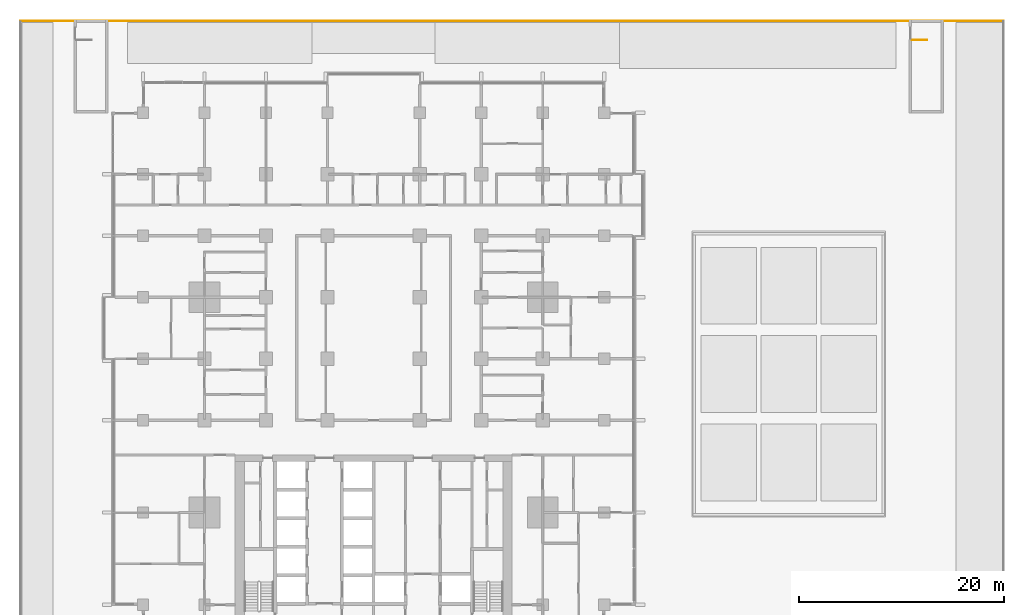
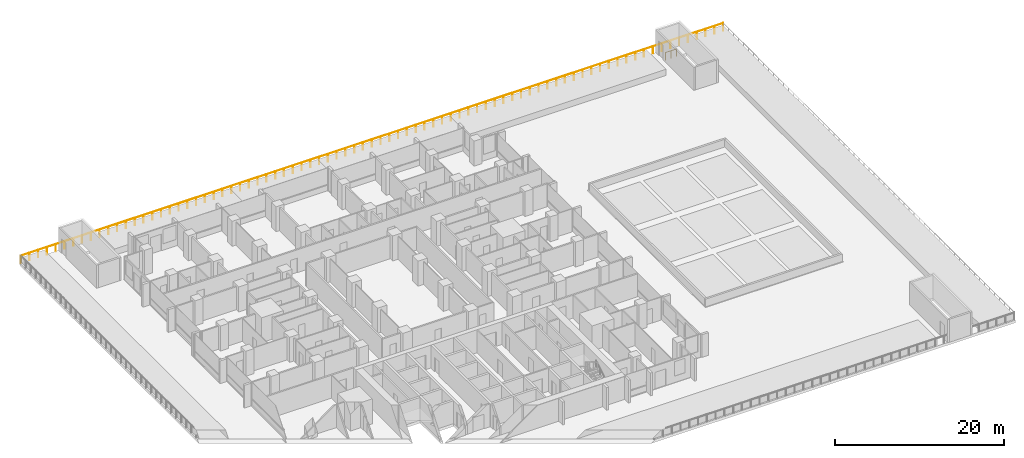
# One storey, part 25 of 25: 2 railings.
"""IFC4 building model written with IfcOpenShell, lengths in metres."""

from ifc_helpers import new_model, si_unit, direction, frame, origin, origin_2d, place, context, subcontext, project, spatial, circle, extrude, material, type_object, element, save


model = new_model("IFC4")

# Units and contexts
model_context = context("Model", 3, precision=1e-05, world=origin(), true_north=direction((0.0, 1.0)))
body_context = subcontext(model_context, "Body", "Model", "MODEL_VIEW")
ifc_project = project(units=[si_unit("LENGTHUNIT", "METRE"), si_unit("AREAUNIT", "SQUARE_METRE"), si_unit("VOLUMEUNIT", "CUBIC_METRE"), si_unit("PLANEANGLEUNIT", "RADIAN"), si_unit("MASSUNIT", "GRAM", prefix="KILO")], contexts=[model_context])

# Site, building, storey
site_placement = place(None, origin())
site = spatial("IfcSite", under=ifc_project, at=site_placement, CompositionType="ELEMENT")
building_placement = place(site_placement, origin())
building = spatial("IfcBuilding", under=site, at=building_placement, Name="Finial Court Residences", CompositionType="ELEMENT")
storey_placement = place(building_placement, frame((0.0, 0.0, 32.5)))
storey = spatial("IfcBuildingStorey", under=building, at=storey_placement, Name="L06", CompositionType="ELEMENT", Elevation=32.5)

# Railings
ifc_material_1 = material(Name="Stainless steel railing", Category="steel")
railing_type_1 = type_object("IfcRailingType", Name="Stair guard 1100", PredefinedType="GUARDRAIL", material=ifc_material_1)
railing_1_placement = place(storey_placement, frame((52.5, 32.60009765625, 0.0)))
element("IfcRailing", 1, at=railing_1_placement, inside=storey, type_object=railing_type_1, Name="L06 ST-5 top well guard 1", PredefinedType="GUARDRAIL", context=body_context, shape_type="SweptSolid", body=[
    extrude(circle(Radius=0.02392578125, at=origin_2d()), frame((0.0, 0.0, 1.076171875), z_axis=(1.0, 0.0, 0.0), x_axis=(0.0, 1.0, 0.0)), (0.0, 0.0, 1.0), 1.5),
    extrude(circle(Radius=0.02099609375, at=origin_2d()), origin(), (0.0, 0.0, 1.0), 1.052001953125),
    extrude(circle(Radius=0.02099609375, at=origin_2d()), frame((0.75, 0.0, 0.0)), (0.0, 0.0, 1.0), 1.052001953125),
    extrude(circle(Radius=0.02099609375, at=origin_2d()), frame((1.5, 0.0, 0.0)), (0.0, 0.0, 1.0), 1.052001953125),
])
ifc_material_2 = material(Name="Bronze anodised aluminium", Category="aluminium")
railing_type_2 = type_object("IfcRailingType", Name="Terrace guard 1100", PredefinedType="GUARDRAIL", material=ifc_material_2)
railing_2_placement = place(storey_placement, frame((-34.43994140625, 34.43994140625, 0.0)))
element("IfcRailing", 2, at=railing_2_placement, inside=storey, type_object=railing_type_2, Name="E-L06-TER1-R1-1", PredefinedType="GUARDRAIL", context=body_context, shape_type="SweptSolid", body=[
    extrude(circle(Radius=0.02392578125, at=origin_2d()), frame((0.0, 0.0, 1.076171875), z_axis=(1.0, 0.0, 0.0), x_axis=(0.0, 1.0, 0.0)), (0.0, 0.0, 1.0), 95.8798828125),
    extrude(circle(Radius=0.02099609375, at=origin_2d()), origin(), (0.0, 0.0, 1.0), 1.052001953125),
    extrude(circle(Radius=0.02099609375, at=origin_2d()), frame((1.198486328125, 0.0, 0.0)), (0.0, 0.0, 1.0), 1.052001953125),
    extrude(circle(Radius=0.02099609375, at=origin_2d()), frame((2.39697265625, 0.0, 0.0)), (0.0, 0.0, 1.0), 1.052001953125),
    extrude(circle(Radius=0.02099609375, at=origin_2d()), frame((3.595458984375, 0.0, 0.0)), (0.0, 0.0, 1.0), 1.052001953125),
    extrude(circle(Radius=0.02099609375, at=origin_2d()), frame((4.7939453125, 0.0, 0.0)), (0.0, 0.0, 1.0), 1.052001953125),
    extrude(circle(Radius=0.02099609375, at=origin_2d()), frame((5.992431640625, 0.0, 0.0)), (0.0, 0.0, 1.0), 1.052001953125),
    extrude(circle(Radius=0.02099609375, at=origin_2d()), frame((7.19091796875, 0.0, 0.0)), (0.0, 0.0, 1.0), 1.052001953125),
    extrude(circle(Radius=0.02099609375, at=origin_2d()), frame((8.389404296875, 0.0, 0.0)), (0.0, 0.0, 1.0), 1.052001953125),
    extrude(circle(Radius=0.02099609375, at=origin_2d()), frame((9.587890625, 0.0, 0.0)), (0.0, 0.0, 1.0), 1.052001953125),
    extrude(circle(Radius=0.02099609375, at=origin_2d()), frame((10.786376953125, 0.0, 0.0)), (0.0, 0.0, 1.0), 1.052001953125),
    extrude(circle(Radius=0.02099609375, at=origin_2d()), frame((11.98486328125, 0.0, 0.0)), (0.0, 0.0, 1.0), 1.052001953125),
    extrude(circle(Radius=0.02099609375, at=origin_2d()), frame((13.18359375, 0.0, 0.0)), (0.0, 0.0, 1.0), 1.052001953125),
    extrude(circle(Radius=0.02099609375, at=origin_2d()), frame((14.382080078125, 0.0, 0.0)), (0.0, 0.0, 1.0), 1.052001953125),
    extrude(circle(Radius=0.02099609375, at=origin_2d()), frame((15.58056640625, 0.0, 0.0)), (0.0, 0.0, 1.0), 1.052001953125),
    extrude(circle(Radius=0.02099609375, at=origin_2d()), frame((16.779052734375, 0.0, 0.0)), (0.0, 0.0, 1.0), 1.052001953125),
    extrude(circle(Radius=0.02099609375, at=origin_2d()), frame((17.9775390625, 0.0, 0.0)), (0.0, 0.0, 1.0), 1.052001953125),
    extrude(circle(Radius=0.02099609375, at=origin_2d()), frame((19.176025390625, 0.0, 0.0)), (0.0, 0.0, 1.0), 1.052001953125),
    extrude(circle(Radius=0.02099609375, at=origin_2d()), frame((20.37451171875, 0.0, 0.0)), (0.0, 0.0, 1.0), 1.052001953125),
    extrude(circle(Radius=0.02099609375, at=origin_2d()), frame((21.572998046875, 0.0, 0.0)), (0.0, 0.0, 1.0), 1.052001953125),
    extrude(circle(Radius=0.02099609375, at=origin_2d()), frame((22.771484375, 0.0, 0.0)), (0.0, 0.0, 1.0), 1.052001953125),
    extrude(circle(Radius=0.02099609375, at=origin_2d()), frame((23.969970703125, 0.0, 0.0)), (0.0, 0.0, 1.0), 1.052001953125),
    extrude(circle(Radius=0.02099609375, at=origin_2d()), frame((25.16845703125, 0.0, 0.0)), (0.0, 0.0, 1.0), 1.052001953125),
    extrude(circle(Radius=0.02099609375, at=origin_2d()), frame((26.366943359375, 0.0, 0.0)), (0.0, 0.0, 1.0), 1.052001953125),
    extrude(circle(Radius=0.02099609375, at=origin_2d()), frame((27.5654296875, 0.0, 0.0)), (0.0, 0.0, 1.0), 1.052001953125),
    extrude(circle(Radius=0.02099609375, at=origin_2d()), frame((28.763916015625, 0.0, 0.0)), (0.0, 0.0, 1.0), 1.052001953125),
    extrude(circle(Radius=0.02099609375, at=origin_2d()), frame((29.96240234375, 0.0, 0.0)), (0.0, 0.0, 1.0), 1.052001953125),
    extrude(circle(Radius=0.02099609375, at=origin_2d()), frame((31.160888671875, 0.0, 0.0)), (0.0, 0.0, 1.0), 1.052001953125),
    extrude(circle(Radius=0.02099609375, at=origin_2d()), frame((32.359375, 0.0, 0.0)), (0.0, 0.0, 1.0), 1.052001953125),
    extrude(circle(Radius=0.02099609375, at=origin_2d()), frame((33.557861328125, 0.0, 0.0)), (0.0, 0.0, 1.0), 1.052001953125),
    extrude(circle(Radius=0.02099609375, at=origin_2d()), frame((34.75634765625, 0.0, 0.0)), (0.0, 0.0, 1.0), 1.052001953125),
    extrude(circle(Radius=0.02099609375, at=origin_2d()), frame((35.955078125, 0.0, 0.0)), (0.0, 0.0, 1.0), 1.052001953125),
    extrude(circle(Radius=0.02099609375, at=origin_2d()), frame((37.153564453125, 0.0, 0.0)), (0.0, 0.0, 1.0), 1.052001953125),
    extrude(circle(Radius=0.02099609375, at=origin_2d()), frame((38.35205078125, 0.0, 0.0)), (0.0, 0.0, 1.0), 1.052001953125),
    extrude(circle(Radius=0.02099609375, at=origin_2d()), frame((39.550537109375, 0.0, 0.0)), (0.0, 0.0, 1.0), 1.052001953125),
    extrude(circle(Radius=0.02099609375, at=origin_2d()), frame((40.7490234375, 0.0, 0.0)), (0.0, 0.0, 1.0), 1.052001953125),
    extrude(circle(Radius=0.02099609375, at=origin_2d()), frame((41.947509765625, 0.0, 0.0)), (0.0, 0.0, 1.0), 1.052001953125),
    extrude(circle(Radius=0.02099609375, at=origin_2d()), frame((43.14599609375, 0.0, 0.0)), (0.0, 0.0, 1.0), 1.052001953125),
    extrude(circle(Radius=0.02099609375, at=origin_2d()), frame((44.344482421875, 0.0, 0.0)), (0.0, 0.0, 1.0), 1.052001953125),
    extrude(circle(Radius=0.02099609375, at=origin_2d()), frame((45.54296875, 0.0, 0.0)), (0.0, 0.0, 1.0), 1.052001953125),
    extrude(circle(Radius=0.02099609375, at=origin_2d()), frame((46.741455078125, 0.0, 0.0)), (0.0, 0.0, 1.0), 1.052001953125),
    extrude(circle(Radius=0.02099609375, at=origin_2d()), frame((47.93994140625, 0.0, 0.0)), (0.0, 0.0, 1.0), 1.052001953125),
    extrude(circle(Radius=0.02099609375, at=origin_2d()), frame((49.138427734375, 0.0, 0.0)), (0.0, 0.0, 1.0), 1.052001953125),
    extrude(circle(Radius=0.02099609375, at=origin_2d()), frame((50.3369140625, 0.0, 0.0)), (0.0, 0.0, 1.0), 1.052001953125),
    extrude(circle(Radius=0.02099609375, at=origin_2d()), frame((51.535400390625, 0.0, 0.0)), (0.0, 0.0, 1.0), 1.052001953125),
    extrude(circle(Radius=0.02099609375, at=origin_2d()), frame((52.73388671875, 0.0, 0.0)), (0.0, 0.0, 1.0), 1.052001953125),
    extrude(circle(Radius=0.02099609375, at=origin_2d()), frame((53.932373046875, 0.0, 0.0)), (0.0, 0.0, 1.0), 1.052001953125),
    extrude(circle(Radius=0.02099609375, at=origin_2d()), frame((55.130859375, 0.0, 0.0)), (0.0, 0.0, 1.0), 1.052001953125),
    extrude(circle(Radius=0.02099609375, at=origin_2d()), frame((56.329345703125, 0.0, 0.0)), (0.0, 0.0, 1.0), 1.052001953125),
    extrude(circle(Radius=0.02099609375, at=origin_2d()), frame((57.52783203125, 0.0, 0.0)), (0.0, 0.0, 1.0), 1.052001953125),
    extrude(circle(Radius=0.02099609375, at=origin_2d()), frame((58.726318359375, 0.0, 0.0)), (0.0, 0.0, 1.0), 1.052001953125),
    extrude(circle(Radius=0.02099609375, at=origin_2d()), frame((59.9248046875, 0.0, 0.0)), (0.0, 0.0, 1.0), 1.052001953125),
    extrude(circle(Radius=0.02099609375, at=origin_2d()), frame((61.12353515625, 0.0, 0.0)), (0.0, 0.0, 1.0), 1.052001953125),
    extrude(circle(Radius=0.02099609375, at=origin_2d()), frame((62.322021484375, 0.0, 0.0)), (0.0, 0.0, 1.0), 1.052001953125),
    extrude(circle(Radius=0.02099609375, at=origin_2d()), frame((63.5205078125, 0.0, 0.0)), (0.0, 0.0, 1.0), 1.052001953125),
    extrude(circle(Radius=0.02099609375, at=origin_2d()), frame((64.718994140625, 0.0, 0.0)), (0.0, 0.0, 1.0), 1.052001953125),
    extrude(circle(Radius=0.02099609375, at=origin_2d()), frame((65.91748046875, 0.0, 0.0)), (0.0, 0.0, 1.0), 1.052001953125),
    extrude(circle(Radius=0.02099609375, at=origin_2d()), frame((67.115966796875, 0.0, 0.0)), (0.0, 0.0, 1.0), 1.052001953125),
    extrude(circle(Radius=0.02099609375, at=origin_2d()), frame((68.314453125, 0.0, 0.0)), (0.0, 0.0, 1.0), 1.052001953125),
    extrude(circle(Radius=0.02099609375, at=origin_2d()), frame((69.512939453125, 0.0, 0.0)), (0.0, 0.0, 1.0), 1.052001953125),
    extrude(circle(Radius=0.02099609375, at=origin_2d()), frame((70.71142578125, 0.0, 0.0)), (0.0, 0.0, 1.0), 1.052001953125),
    extrude(circle(Radius=0.02099609375, at=origin_2d()), frame((71.909912109375, 0.0, 0.0)), (0.0, 0.0, 1.0), 1.052001953125),
    extrude(circle(Radius=0.02099609375, at=origin_2d()), frame((73.1083984375, 0.0, 0.0)), (0.0, 0.0, 1.0), 1.052001953125),
    extrude(circle(Radius=0.02099609375, at=origin_2d()), frame((74.306884765625, 0.0, 0.0)), (0.0, 0.0, 1.0), 1.052001953125),
    extrude(circle(Radius=0.02099609375, at=origin_2d()), frame((75.50537109375, 0.0, 0.0)), (0.0, 0.0, 1.0), 1.052001953125),
    extrude(circle(Radius=0.02099609375, at=origin_2d()), frame((76.703857421875, 0.0, 0.0)), (0.0, 0.0, 1.0), 1.052001953125),
    extrude(circle(Radius=0.02099609375, at=origin_2d()), frame((77.90234375, 0.0, 0.0)), (0.0, 0.0, 1.0), 1.052001953125),
    extrude(circle(Radius=0.02099609375, at=origin_2d()), frame((79.100830078125, 0.0, 0.0)), (0.0, 0.0, 1.0), 1.052001953125),
    extrude(circle(Radius=0.02099609375, at=origin_2d()), frame((80.29931640625, 0.0, 0.0)), (0.0, 0.0, 1.0), 1.052001953125),
    extrude(circle(Radius=0.02099609375, at=origin_2d()), frame((81.497802734375, 0.0, 0.0)), (0.0, 0.0, 1.0), 1.052001953125),
    extrude(circle(Radius=0.02099609375, at=origin_2d()), frame((82.6962890625, 0.0, 0.0)), (0.0, 0.0, 1.0), 1.052001953125),
    extrude(circle(Radius=0.02099609375, at=origin_2d()), frame((83.89501953125, 0.0, 0.0)), (0.0, 0.0, 1.0), 1.052001953125),
    extrude(circle(Radius=0.02099609375, at=origin_2d()), frame((85.093505859375, 0.0, 0.0)), (0.0, 0.0, 1.0), 1.052001953125),
    extrude(circle(Radius=0.02099609375, at=origin_2d()), frame((86.2919921875, 0.0, 0.0)), (0.0, 0.0, 1.0), 1.052001953125),
    extrude(circle(Radius=0.02099609375, at=origin_2d()), frame((87.490478515625, 0.0, 0.0)), (0.0, 0.0, 1.0), 1.052001953125),
    extrude(circle(Radius=0.02099609375, at=origin_2d()), frame((88.68896484375, 0.0, 0.0)), (0.0, 0.0, 1.0), 1.052001953125),
    extrude(circle(Radius=0.02099609375, at=origin_2d()), frame((89.887451171875, 0.0, 0.0)), (0.0, 0.0, 1.0), 1.052001953125),
    extrude(circle(Radius=0.02099609375, at=origin_2d()), frame((91.0859375, 0.0, 0.0)), (0.0, 0.0, 1.0), 1.052001953125),
    extrude(circle(Radius=0.02099609375, at=origin_2d()), frame((92.284423828125, 0.0, 0.0)), (0.0, 0.0, 1.0), 1.052001953125),
    extrude(circle(Radius=0.02099609375, at=origin_2d()), frame((93.48291015625, 0.0, 0.0)), (0.0, 0.0, 1.0), 1.052001953125),
    extrude(circle(Radius=0.02099609375, at=origin_2d()), frame((94.681396484375, 0.0, 0.0)), (0.0, 0.0, 1.0), 1.052001953125),
    extrude(circle(Radius=0.02099609375, at=origin_2d()), frame((95.8798828125, 0.0, 0.0)), (0.0, 0.0, 1.0), 1.052001953125),
])

save(model, "model.ifc")
